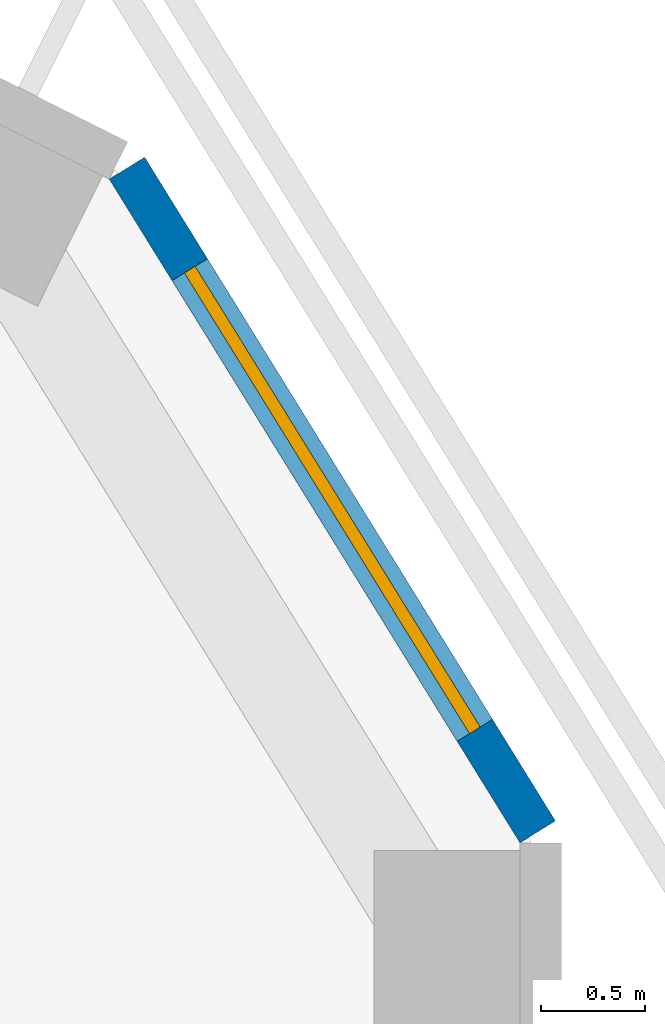
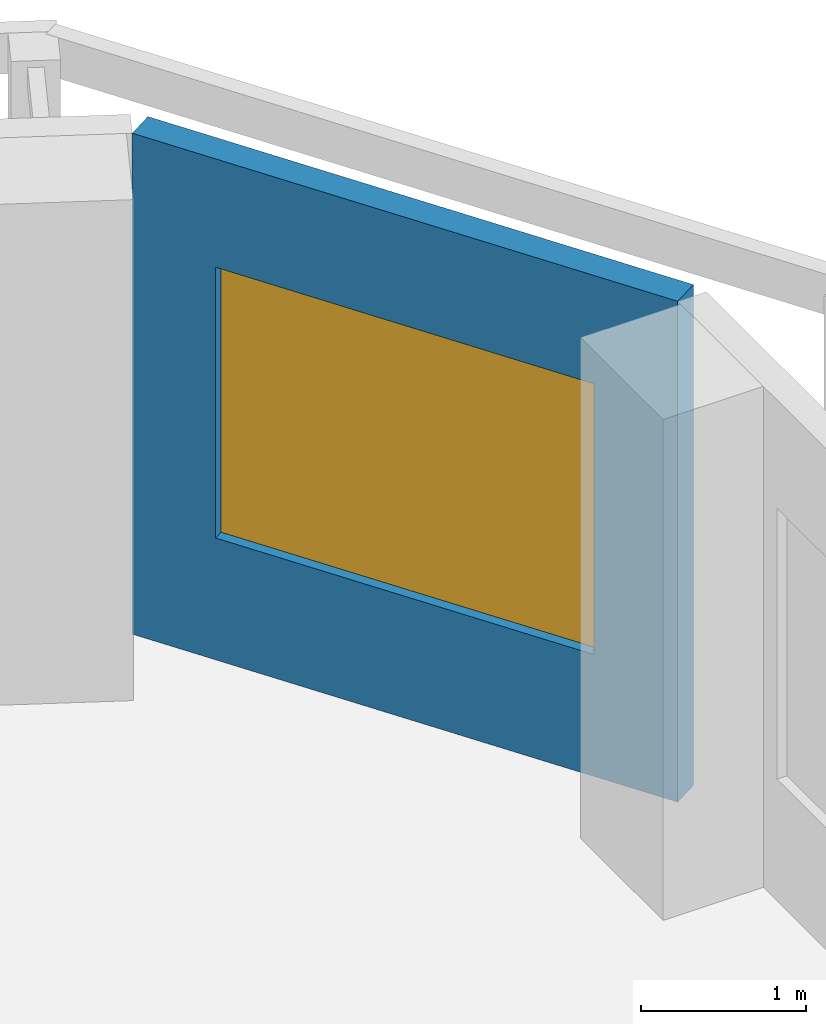
# One storey, part 8 of 11: 1 wall, 1 window, 1 opening.
"""IFC4 building model written with IfcOpenShell, lengths in metres."""

from ifc_helpers import new_model, si_unit, direction, frame, frame_2d, origin, place, context, subcontext, project, spatial, rectangle, extrude, material, layer, layer_set, type_object, element, fill, save


model = new_model("IFC4")

# Units and contexts
model_context = context("Model", 3, precision=1e-05, world=origin(), true_north=direction((0.0, 1.0)))
body_context = subcontext(model_context, "Body", "Model", "MODEL_VIEW")
ifc_project = project(units=[si_unit("LENGTHUNIT", "METRE"), si_unit("AREAUNIT", "SQUARE_METRE"), si_unit("VOLUMEUNIT", "CUBIC_METRE"), si_unit("PLANEANGLEUNIT", "RADIAN"), si_unit("MASSUNIT", "GRAM", prefix="KILO")], contexts=[model_context])

# Site, building, storey
site_placement = place(None, origin())
site = spatial("IfcSite", under=ifc_project, at=site_placement, CompositionType="ELEMENT")
building_placement = place(site_placement, origin())
building = spatial("IfcBuilding", under=site, at=building_placement, Name="Vanh Sen Convention Tower", CompositionType="ELEMENT")
storey_placement = place(building_placement, frame((0.0, 0.0, 285.699951171875)))
storey = spatial("IfcBuildingStorey", under=building, at=storey_placement, Name="L70", CompositionType="ELEMENT", Elevation=285.699951171875)

# Wall, opening, window
ifc_material_1 = material(Name="Insulated lightweight infill wall")
ifc_layer = layer(ifc_material_1, 0.199951171875)
ifc_layer_set = layer_set([ifc_layer], Name="Insulated lightweight infill wall")
wall_type = type_object("IfcWallType", Name="External wall 200", PredefinedType="STANDARD", material=ifc_layer_set)
wall_placement = place(storey_placement, frame((19.235107421875, 9.699951171875, 0.0), z_axis=(0.0, 0.0, 1.0), x_axis=(-0.526233475464, 0.850340125656, 0.0)))
wall = element("IfcWall", 1, at=wall_placement, inside=storey, type_object=wall_type, Name="External wall CH1 L70", PredefinedType="STANDARD", context=body_context, shape_type="SweptSolid", body=[
    extrude(rectangle(XDim=3.746826171875, YDim=0.199951171875, at=frame_2d((1.87353515625, 0.0))), origin(), (0.0, 0.0, 1.0), 3.699951171875),
])
opening_placement = place(wall_placement, frame((0.573486328125, 0.0, 0.89990234375)))
opening = element("IfcOpeningElement", 2, at=opening_placement, cuts=wall, Name="Opening WO6-CH11", PredefinedType="OPENING", context=body_context, shape_type="SweptSolid", body=[
    extrude(rectangle(XDim=2.60009765625, YDim=2.0, at=frame_2d((1.300048828125, 1.0))), frame((0.0, 0.10986328125, 0.0), z_axis=(0.0, -1.0, 0.0), x_axis=(1.0, 0.0, 0.0)), (0.0, 0.0, 1.0), 0.219970703125),
])
ifc_material_2 = material(Name="Aluminium frame with clear low-emissivity glass", Category="aluminium")
window_type = type_object("IfcWindowType", Name="Office window 2600 x 2000", PartitioningType="SINGLE_PANEL", PredefinedType="WINDOW", material=ifc_material_2)
window_placement = place(opening_placement, origin())
window = element("IfcWindow", 3, at=window_placement, inside=storey, type_object=window_type, Name="Window WO6-CH11", OverallHeight=2.0, OverallWidth=2.60009765625, PartitioningType="SINGLE_PANEL", PredefinedType="WINDOW", context=body_context, shape_type="SweptSolid", body=[
    extrude(rectangle(XDim=2.60009765625, YDim=2.0, at=frame_2d((1.300048828125, 1.0))), frame((0.0, 0.030029296875, 0.0), z_axis=(0.0, -1.0, 0.0), x_axis=(1.0, 0.0, 0.0)), (0.0, 0.0, 1.0), 0.06005859375),
])
fill(opening, window)

save(model, "model.ifc")
